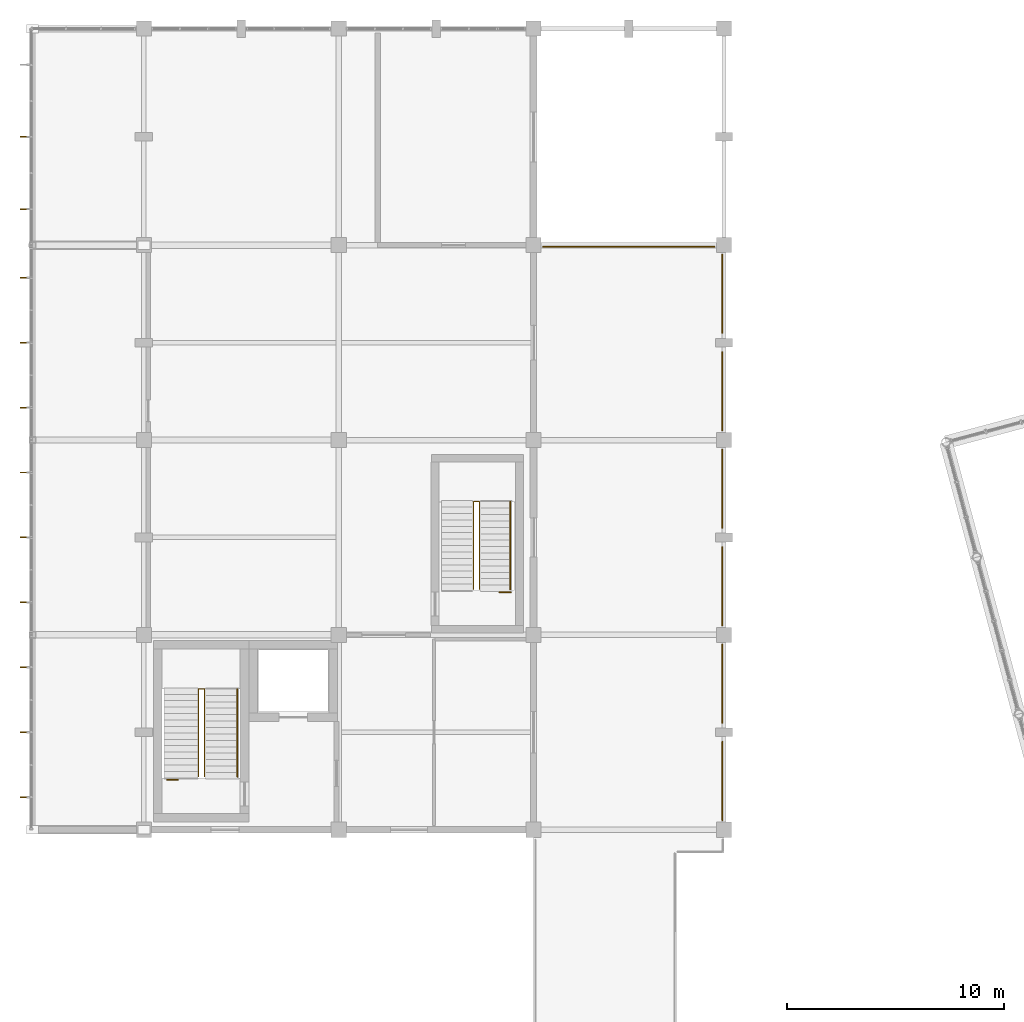
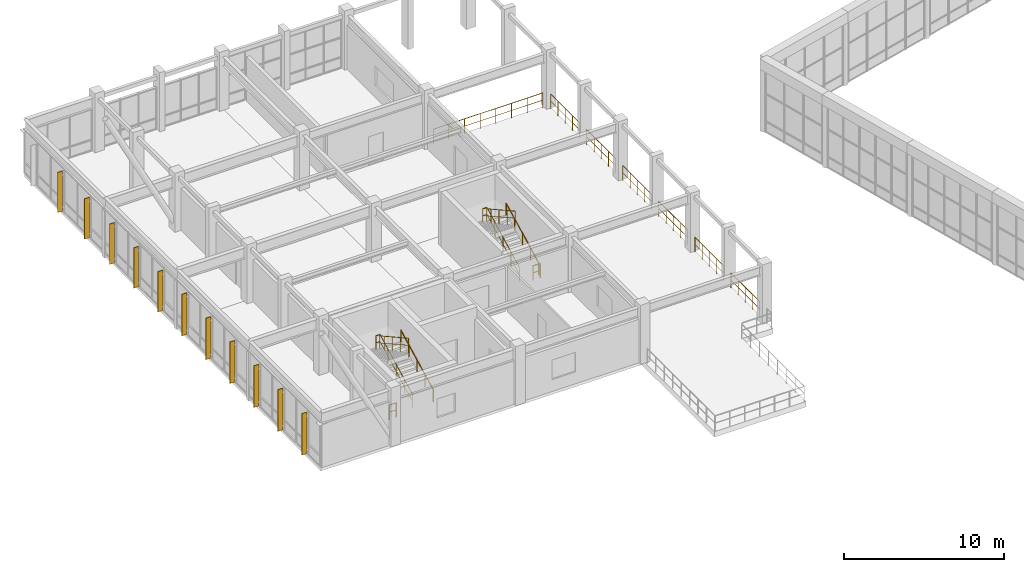
# One storey, part 52 of 55: 13 railings, 11 shading devices.
"""IFC4 building model written with IfcOpenShell, lengths in metres."""

import ifcopenshell
import ifcopenshell.guid

model = None  # the IFC model being written
_history = None  # IfcOwnerHistory: only IFC2X3 demands one
_inside = {}  # id of a spatial element -> (the spatial element, [elements in it])
_under = {}  # id of a project, library or spatial element -> (it, [spatial elements below it])
_declared = {}  # id of a project -> (the project, [libraries it declares])
_typed = {}  # id of a type object -> (the type object, [elements of that type])
_made_of = {}  # id of a material, layer set ... -> (it, [elements and type objects made of it])


def new_model(schema):
    """Start an empty IFC model of exactly this schema.

    Asked for "IFC4X3", IfcOpenShell would pick the latest addendum, in which some entities
    have other attributes; the version numbers below select the first issue.
    IFC2X3 requires an IfcOwnerHistory on every rooted entity: one is made here for all.
    """
    global model, _history
    if schema == "IFC4X3":
        model = ifcopenshell.file(schema_version=(4, 3, 0, 0))
    else:
        model = ifcopenshell.file(schema=schema)
    _inside.clear()
    _under.clear()
    _declared.clear()
    _typed.clear()
    _made_of.clear()
    _history = None
    if model.schema == "IFC2X3":
        org = make("IfcOrganization", Name="unknown")
        user = make(
            "IfcPersonAndOrganization",
            ThePerson=make("IfcPerson", FamilyName="unknown"),
            TheOrganization=org,
        )
        app = make(
            "IfcApplication",
            ApplicationDeveloper=org,
            Version="unknown",
            ApplicationFullName="unknown",
            ApplicationIdentifier="unknown",
        )
        _history = make(
            "IfcOwnerHistory",
            OwningUser=user,
            OwningApplication=app,
            ChangeAction="ADDED",
            CreationDate=0,
        )
    return model


def make(cls, **values):
    """One entity of the class cls with the attributes given. An attribute that is None is left unset."""
    return model.create_entity(
        cls, **{name: value for name, value in values.items() if value is not None}
    )


def rooted(cls, **values):
    """An entity with a GlobalId (a new one), such as an element, a storey or a relation."""
    return make(cls, GlobalId=ifcopenshell.guid.new(), OwnerHistory=_history, **values)


def si_unit(unit_type, name, prefix=None):
    """IfcSIUnit, for example si_unit("LENGTHUNIT", "METRE", prefix="MILLI")."""
    return make("IfcSIUnit", UnitType=unit_type, Prefix=prefix, Name=name)


def assignment(units):
    """IfcUnitAssignment: the units of a project."""
    return None if units is None else make("IfcUnitAssignment", Units=units)


def point(xyz):
    """IfcCartesianPoint."""
    return None if xyz is None else make("IfcCartesianPoint", Coordinates=xyz)


def direction(xyz):
    """IfcDirection."""
    return None if xyz is None else make("IfcDirection", DirectionRatios=xyz)


def frame(location, z_axis=None, x_axis=None):
    """IfcAxis2Placement3D, a coordinate frame: its origin and axes. An axis left out is left unset."""
    return make(
        "IfcAxis2Placement3D",
        Location=point(location),
        Axis=direction(z_axis),
        RefDirection=direction(x_axis),
    )


def frame_2d(location, x_axis=None):
    """IfcAxis2Placement2D, a coordinate frame in the plane: its origin and x axis."""
    return make(
        "IfcAxis2Placement2D", Location=point(location), RefDirection=direction(x_axis)
    )


def origin():
    """The frame at (0, 0, 0) with its axes left unset."""
    return frame((0.0, 0.0, 0.0))


def origin_2d():
    """The frame at (0, 0) in the plane with its x axis left unset."""
    return frame_2d((0.0, 0.0))


def place(relative_to, where):
    """IfcLocalPlacement: puts the frame where relative to a parent placement (None: the world)."""
    return make(
        "IfcLocalPlacement", PlacementRelTo=relative_to, RelativePlacement=where
    )


def context(
    kind, dimensions, precision=None, world=None, true_north=None, identifier=None
):
    """IfcGeometricRepresentationContext, for example the 3D "Model" context."""
    return make(
        "IfcGeometricRepresentationContext",
        ContextIdentifier=identifier,
        ContextType=kind,
        CoordinateSpaceDimension=dimensions,
        Precision=precision,
        WorldCoordinateSystem=world,
        TrueNorth=true_north,
    )


def subcontext(parent, identifier, kind, view, scale=None):
    """IfcGeometricRepresentationSubContext, for example "Body" below "Model"."""
    return make(
        "IfcGeometricRepresentationSubContext",
        ContextIdentifier=identifier,
        ContextType=kind,
        ParentContext=parent,
        TargetScale=scale,
        TargetView=view,
    )


def project(units=None, contexts=None):
    """IfcProject with its units and contexts."""
    return rooted(
        "IfcProject",
        Name="project",
        RepresentationContexts=contexts,
        UnitsInContext=assignment(units),
    )


def spatial(cls, under=None, at=None, **own):
    """A site, building, storey or space (cls), placed at a placement, below another one or the project."""
    s = rooted(cls, ObjectPlacement=at, **own)
    if under is not None:
        _under.setdefault(under.id(), (under, []))[1].append(s)
    return s


def profile(cls, at=None, kind="AREA", **sizes):
    """A parametric profile (cls). Its sizes go by their IFC names, for example OverallWidth=200.0."""
    return make(cls, ProfileType=kind, Position=at, **sizes)


def rectangle(**sizes):
    """IfcRectangleProfileDef."""
    return profile("IfcRectangleProfileDef", **sizes)


def circle(**sizes):
    """IfcCircleProfileDef."""
    return profile("IfcCircleProfileDef", **sizes)


def extrude(swept, where, along, depth):
    """IfcExtrudedAreaSolid: the profile swept, set in the frame where, extruded along a direction by depth."""
    return make(
        "IfcExtrudedAreaSolid",
        SweptArea=swept,
        Position=where,
        ExtrudedDirection=direction(along),
        Depth=depth,
    )


def shape(context_of_items, identifier, shape_type, items):
    """IfcShapeRepresentation: the items that make up one representation, for example the "Body"."""
    return make(
        "IfcShapeRepresentation",
        ContextOfItems=context_of_items,
        RepresentationIdentifier=identifier,
        RepresentationType=shape_type,
        Items=items,
    )


def material(Name=None, Category=None):
    """IfcMaterial."""
    return make("IfcMaterial", Name=Name, Category=Category)


def made_of(thing, what):
    """Note that an element or type object is made of a material, layer set ...; save() writes the relation."""
    if what is not None:
        _made_of.setdefault(what.id(), (what, []))[1].append(thing)
    return thing


def type_object(cls, material=None, **own):
    """A type object (cls), such as IfcWallType, which elements share."""
    return made_of(rooted(cls, **own), material)


def element(
    cls,
    number,
    at=None,
    inside=None,
    cuts=None,
    type_object=None,
    material=None,
    context=None,
    identifier="Body",
    shape_type=None,
    held_by="IfcProductDefinitionShape",
    body=None,
    shapes=None,
    **own,
):
    """One element of the class cls, such as IfcWall. Its Tag is "e" and its number.

    at: its placement. inside: the storey or other place that contains it. cuts: it is an
    opening in that element (IfcRelVoidsElement). A single representation is given by context,
    identifier, shape_type and body (its items); several are given by shapes. held_by: the class
    of the entity that holds the representations. save() writes the other relations.
    """
    e = rooted(cls, Tag="e%d" % number, ObjectPlacement=at, **own)
    if body is not None:
        shapes = [shape(context, identifier, shape_type, body)]
    if shapes is not None:
        e.Representation = make(held_by, Representations=shapes)
    if inside is not None:
        _inside.setdefault(inside.id(), (inside, []))[1].append(e)
    if cuts is not None:
        rooted(
            "IfcRelVoidsElement", RelatingBuildingElement=cuts, RelatedOpeningElement=e
        )
    if type_object is not None:
        _typed.setdefault(type_object.id(), (type_object, []))[1].append(e)
    return made_of(e, material)


def aggregate(whole, parts):
    """IfcRelAggregates: a whole, such as a stair, and the parts it consists of."""
    return rooted("IfcRelAggregates", RelatingObject=whole, RelatedObjects=parts)


def save(model, path):
    """Write the relations noted so far, then the file.

    IfcRelAggregates (storeys below a building ...), IfcRelContainedInSpatialStructure (elements
    in a storey), IfcRelDefinesByType, IfcRelAssociatesMaterial and IfcRelDeclares: one each for
    every whole, place, type object, material and project.
    """
    for whole, parts in _under.values():
        aggregate(whole, parts)
    for where, things in _inside.values():
        rooted(
            "IfcRelContainedInSpatialStructure",
            RelatedElements=things,
            RelatingStructure=where,
        )
    for kind, things in _typed.values():
        rooted("IfcRelDefinesByType", RelatedObjects=things, RelatingType=kind)
    for what, things in _made_of.values():
        rooted("IfcRelAssociatesMaterial", RelatedObjects=things, RelatingMaterial=what)
    for by, libraries in _declared.values():
        rooted("IfcRelDeclares", RelatingContext=by, RelatedDefinitions=libraries)
    model.write(path)


model = new_model("IFC4")

# Units and contexts
model_context = context("Model", 3, precision=1e-05, world=origin(), true_north=direction((0.0, 1.0)))
body_context = subcontext(model_context, "Body", "Model", "MODEL_VIEW")
ifc_project = project(units=[si_unit("LENGTHUNIT", "METRE"), si_unit("AREAUNIT", "SQUARE_METRE"), si_unit("VOLUMEUNIT", "CUBIC_METRE"), si_unit("PLANEANGLEUNIT", "RADIAN"), si_unit("MASSUNIT", "GRAM", prefix="KILO")], contexts=[model_context])

# Site, building, storey
site_placement = place(None, origin())
site = spatial("IfcSite", under=ifc_project, at=site_placement, CompositionType="ELEMENT")
building_placement = place(site_placement, origin())
building = spatial("IfcBuilding", under=site, at=building_placement, Name="Ventoquebrada Cableway Terminal", CompositionType="ELEMENT")
storey_placement = place(building_placement, frame((0.0, 0.0, 14.39990234375)))
storey = spatial("IfcBuildingStorey", under=building, at=storey_placement, Name="L03", CompositionType="ELEMENT", Elevation=14.39990234375)

# Railings
ifc_material_1 = material(Name="Brushed stainless steel Grade 316", Category="steel")
railing_type_1 = type_object("IfcRailingType", Name="RL-GD01", PredefinedType="GUARDRAIL", material=ifc_material_1)
railing_1_placement = place(storey_placement, frame((11.010009765625, 79.449951171875, 0.150146484375)))
element("IfcRailing", 1, at=railing_1_placement, inside=storey, type_object=railing_type_1, Name="Stair well guardrail GR-S17", PredefinedType="GUARDRAIL", context=body_context, shape_type="SweptSolid", body=[
    extrude(circle(Radius=0.02392578125, at=origin_2d()), frame((0.0, 0.001708984375, 1.096923828125), z_axis=(0.0, 0.887769920297, 0.460287484748), x_axis=(-1.0, 0.0, 0.0)), (0.0, 0.0, 1.0), 4.55810546875),
    extrude(circle(Radius=0.01611328125, at=origin_2d()), frame((0.0, 0.001708984375, 0.56103515625), z_axis=(0.0, 0.887769920297, 0.460287484748), x_axis=(-1.0, 0.0, 0.0)), (0.0, 0.0, 1.0), 4.55810546875),
    extrude(circle(Radius=0.02392578125, at=origin_2d()), frame((-0.001953125, 4.050048828125, 3.19580078125), z_axis=(-1.0, 0.0, 0.0), x_axis=(0.0, -1.0, 0.0)), (0.0, 0.0, 1.0), 0.276123046875),
    extrude(circle(Radius=0.01611328125, at=origin_2d()), frame((-0.001953125, 4.050048828125, 2.659912109375), z_axis=(-1.0, 0.0, 0.0), x_axis=(0.0, -1.0, 0.0)), (0.0, 0.0, 1.0), 0.276123046875),
    extrude(circle(Radius=0.02392578125, at=origin_2d()), frame((-0.280029296875, 4.04833984375, 3.19677734375), z_axis=(0.0, -0.87415976173, 0.485638457056), x_axis=(1.0, 0.0, 0.0)), (0.0, 0.0, 1.0), 4.629150390625),
    extrude(circle(Radius=0.01611328125, at=origin_2d()), frame((-0.280029296875, 4.04833984375, 2.660888671875), z_axis=(0.0, -0.87415976173, 0.485638457056), x_axis=(1.0, 0.0, 0.0)), (0.0, 0.0, 1.0), 4.629150390625),
    extrude(circle(Radius=0.02099609375, at=origin_2d()), origin(), (0.0, 0.0, 1.0), 1.072021484375),
    extrude(circle(Radius=0.02099609375, at=origin_2d()), frame((0.0, 1.012451171875, 0.52490234375)), (0.0, 0.0, 1.0), 1.072021484375),
    extrude(circle(Radius=0.02099609375, at=origin_2d()), frame((0.0, 2.02490234375, 1.0498046875)), (0.0, 0.0, 1.0), 1.072021484375),
    extrude(circle(Radius=0.02099609375, at=origin_2d()), frame((0.0, 3.03759765625, 1.574951171875)), (0.0, 0.0, 1.0), 1.072021484375),
    extrude(circle(Radius=0.02099609375, at=origin_2d()), frame((0.0, 4.050048828125, 2.099853515625)), (0.0, 0.0, 1.0), 1.072021484375),
    extrude(circle(Radius=0.02099609375, at=origin_2d()), frame((-0.280029296875, 4.050048828125, 2.099853515625)), (0.0, 0.0, 1.0), 1.072021484375),
    extrude(circle(Radius=0.02099609375, at=origin_2d()), frame((-0.280029296875, 3.03759765625, 2.662353515625)), (0.0, 0.0, 1.0), 1.072021484375),
    extrude(circle(Radius=0.02099609375, at=origin_2d()), frame((-0.280029296875, 2.02490234375, 3.224853515625)), (0.0, 0.0, 1.0), 1.072021484375),
    extrude(circle(Radius=0.02099609375, at=origin_2d()), frame((-0.280029296875, 1.012451171875, 3.787353515625)), (0.0, 0.0, 1.0), 1.072021484375),
    extrude(circle(Radius=0.02099609375, at=origin_2d()), frame((-0.280029296875, 0.0, 4.349853515625)), (0.0, 0.0, 1.0), 1.072021484375),
])
railing_2_placement = place(storey_placement, frame((23.7099609375, 88.10009765625, 0.150146484375)))
element("IfcRailing", 2, at=railing_2_placement, inside=storey, type_object=railing_type_1, Name="Stair well guardrail GR-S18", PredefinedType="GUARDRAIL", context=body_context, shape_type="SweptSolid", body=[
    extrude(circle(Radius=0.02392578125, at=origin_2d()), frame((0.0, 0.001708984375, 1.096923828125), z_axis=(0.0, 0.887758581434, 0.460309353684), x_axis=(-1.0, 0.0, 0.0)), (0.0, 0.0, 1.0), 4.557861328125),
    extrude(circle(Radius=0.01611328125, at=origin_2d()), frame((0.0, 0.001708984375, 0.56103515625), z_axis=(0.0, 0.887758581434, 0.460309353684), x_axis=(-1.0, 0.0, 0.0)), (0.0, 0.0, 1.0), 4.557861328125),
    extrude(circle(Radius=0.02392578125, at=origin_2d()), frame((-0.001953125, 4.0498046875, 3.19580078125), z_axis=(-1.0, 0.0, 0.0), x_axis=(0.0, -1.0, 0.0)), (0.0, 0.0, 1.0), 0.276123046875),
    extrude(circle(Radius=0.01611328125, at=origin_2d()), frame((-0.001953125, 4.0498046875, 2.659912109375), z_axis=(-1.0, 0.0, 0.0), x_axis=(0.0, -1.0, 0.0)), (0.0, 0.0, 1.0), 0.276123046875),
    extrude(circle(Radius=0.02392578125, at=origin_2d()), frame((-0.280029296875, 4.048095703125, 3.19677734375), z_axis=(0.0, -0.874147333, 0.485660828366), x_axis=(1.0, 0.0, 0.0)), (0.0, 0.0, 1.0), 4.62890625),
    extrude(circle(Radius=0.01611328125, at=origin_2d()), frame((-0.280029296875, 4.048095703125, 2.660888671875), z_axis=(0.0, -0.874147333, 0.485660828366), x_axis=(1.0, 0.0, 0.0)), (0.0, 0.0, 1.0), 4.62890625),
    extrude(circle(Radius=0.02099609375, at=origin_2d()), origin(), (0.0, 0.0, 1.0), 1.072021484375),
    extrude(circle(Radius=0.02099609375, at=origin_2d()), frame((0.0, 1.012451171875, 0.52490234375)), (0.0, 0.0, 1.0), 1.072021484375),
    extrude(circle(Radius=0.02099609375, at=origin_2d()), frame((0.0, 2.02490234375, 1.0498046875)), (0.0, 0.0, 1.0), 1.072021484375),
    extrude(circle(Radius=0.02099609375, at=origin_2d()), frame((0.0, 3.037353515625, 1.574951171875)), (0.0, 0.0, 1.0), 1.072021484375),
    extrude(circle(Radius=0.02099609375, at=origin_2d()), frame((0.0, 4.0498046875, 2.099853515625)), (0.0, 0.0, 1.0), 1.072021484375),
    extrude(circle(Radius=0.02099609375, at=origin_2d()), frame((-0.280029296875, 4.0498046875, 2.099853515625)), (0.0, 0.0, 1.0), 1.072021484375),
    extrude(circle(Radius=0.02099609375, at=origin_2d()), frame((-0.280029296875, 3.037353515625, 2.662353515625)), (0.0, 0.0, 1.0), 1.072021484375),
    extrude(circle(Radius=0.02099609375, at=origin_2d()), frame((-0.280029296875, 2.02490234375, 3.224853515625)), (0.0, 0.0, 1.0), 1.072021484375),
    extrude(circle(Radius=0.02099609375, at=origin_2d()), frame((-0.280029296875, 1.012451171875, 3.787353515625)), (0.0, 0.0, 1.0), 1.072021484375),
    extrude(circle(Radius=0.02099609375, at=origin_2d()), frame((-0.280029296875, 0.0, 4.349853515625)), (0.0, 0.0, 1.0), 1.072021484375),
])
railing_3_placement = place(storey_placement, frame((24.625, 87.9599609375, 0.0)))
element("IfcRailing", 3, at=railing_3_placement, inside=storey, type_object=railing_type_1, Name="Open-edge guardrail GR-E133", PredefinedType="GUARDRAIL", context=body_context, shape_type="SweptSolid", body=[
    extrude(circle(Radius=0.02392578125, at=origin_2d()), frame((0.001953125, 0.0, 1.09619140625), z_axis=(1.0, 0.0, 0.0), x_axis=(0.0, 1.0, 0.0)), (0.0, 0.0, 1.0), 0.526123046875),
    extrude(circle(Radius=0.01611328125, at=origin_2d()), frame((0.001953125, 0.0, 0.56005859375), z_axis=(1.0, 0.0, 0.0), x_axis=(0.0, 1.0, 0.0)), (0.0, 0.0, 1.0), 0.526123046875),
    extrude(circle(Radius=0.02099609375, at=origin_2d()), origin(), (0.0, 0.0, 1.0), 1.072021484375),
    extrude(circle(Radius=0.02099609375, at=origin_2d()), frame((0.530029296875, 0.0, 0.0)), (0.0, 0.0, 1.0), 1.072021484375),
])
railing_4_placement = place(storey_placement, frame((9.27001953125, 79.31005859375, 0.0)))
element("IfcRailing", 4, at=railing_4_placement, inside=storey, type_object=railing_type_1, Name="Open-edge guardrail GR-E134", PredefinedType="GUARDRAIL", context=body_context, shape_type="SweptSolid", body=[
    extrude(circle(Radius=0.02392578125, at=origin_2d()), frame((0.001953125, 0.0, 1.09619140625), z_axis=(1.0, 0.0, 0.0), x_axis=(0.0, 1.0, 0.0)), (0.0, 0.0, 1.0), 0.490966796875),
    extrude(circle(Radius=0.01611328125, at=origin_2d()), frame((0.001953125, 0.0, 0.56005859375), z_axis=(1.0, 0.0, 0.0), x_axis=(0.0, 1.0, 0.0)), (0.0, 0.0, 1.0), 0.490966796875),
    extrude(circle(Radius=0.02099609375, at=origin_2d()), origin(), (0.0, 0.0, 1.0), 1.072021484375),
    extrude(circle(Radius=0.02099609375, at=origin_2d()), frame((0.494873046875, 0.0, 0.0)), (0.0, 0.0, 1.0), 1.072021484375),
])
railing_type_2 = type_object("IfcRailingType", Name="RL-GD02", PredefinedType="BALUSTRADE", material=ifc_material_1)
railing_5_placement = place(storey_placement, frame((26.64306640625, 103.919921875, 0.0)))
element("IfcRailing", 5, at=railing_5_placement, inside=storey, type_object=railing_type_2, Name="Terrace balustrade GR-E125", PredefinedType="BALUSTRADE", context=body_context, shape_type="SweptSolid", body=[
    extrude(circle(Radius=0.02392578125, at=origin_2d()), frame((0.001953125, 0.0, 1.1259765625), z_axis=(1.0, 0.0, 0.0), x_axis=(0.0, 1.0, 0.0)), (0.0, 0.0, 1.0), 7.909912109375),
    extrude(circle(Radius=0.01611328125, at=origin_2d()), frame((0.001953125, 0.0, 0.574951171875), z_axis=(1.0, 0.0, 0.0), x_axis=(0.0, 1.0, 0.0)), (0.0, 0.0, 1.0), 7.909912109375),
    extrude(circle(Radius=0.02099609375, at=origin_2d()), origin(), (0.0, 0.0, 1.0), 1.101806640625),
    extrude(circle(Radius=0.02099609375, at=origin_2d()), frame((1.130615234375, 0.0, 0.0)), (0.0, 0.0, 1.0), 1.101806640625),
    extrude(circle(Radius=0.02099609375, at=origin_2d()), frame((2.260986328125, 0.0, 0.0)), (0.0, 0.0, 1.0), 1.101806640625),
    extrude(circle(Radius=0.02099609375, at=origin_2d()), frame((3.3916015625, 0.0, 0.0)), (0.0, 0.0, 1.0), 1.101806640625),
    extrude(circle(Radius=0.02099609375, at=origin_2d()), frame((4.522216796875, 0.0, 0.0)), (0.0, 0.0, 1.0), 1.101806640625),
    extrude(circle(Radius=0.02099609375, at=origin_2d()), frame((5.65283203125, 0.0, 0.0)), (0.0, 0.0, 1.0), 1.101806640625),
    extrude(circle(Radius=0.02099609375, at=origin_2d()), frame((6.783203125, 0.0, 0.0)), (0.0, 0.0, 1.0), 1.101806640625),
    extrude(circle(Radius=0.02099609375, at=origin_2d()), frame((7.913818359375, 0.0, 0.0)), (0.0, 0.0, 1.0), 1.101806640625),
])
for number, where, name in (
    (6, (34.919921875, 103.55810546875, 0.0), "Terrace balustrade GR-E126"),
    (7, (34.919921875, 99.05810546875, 0.0), "Terrace balustrade GR-E127"),
    (8, (34.919921875, 94.55810546875, 0.0), "Terrace balustrade GR-E128"),
    (9, (34.919921875, 90.05810546875, 0.0), "Terrace balustrade GR-E129"),
    (10, (34.919921875, 85.55810546875, 0.0), "Terrace balustrade GR-E130"),
):
    element("IfcRailing", number, at=place(storey_placement, frame(where)), inside=storey, type_object=railing_type_2, Name=name, PredefinedType="BALUSTRADE", context=body_context, shape_type="SweptSolid", body=[
        extrude(circle(Radius=0.02392578125, at=origin_2d()), frame((0.0, -0.001953125, 1.1259765625), z_axis=(0.0, -1.0, 0.0), x_axis=(1.0, 0.0, 0.0)), (0.0, 0.0, 1.0), 3.6123046875),
        extrude(circle(Radius=0.01611328125, at=origin_2d()), frame((0.0, -0.001953125, 0.574951171875), z_axis=(0.0, -1.0, 0.0), x_axis=(1.0, 0.0, 0.0)), (0.0, 0.0, 1.0), 3.6123046875),
        extrude(circle(Radius=0.02099609375, at=origin_2d()), origin(), (0.0, 0.0, 1.0), 1.101806640625),
        extrude(circle(Radius=0.02099609375, at=origin_2d()), frame((0.0, -0.904052734375, 0.0)), (0.0, 0.0, 1.0), 1.101806640625),
        extrude(circle(Radius=0.02099609375, at=origin_2d()), frame((0.0, -1.80810546875, 0.0)), (0.0, 0.0, 1.0), 1.101806640625),
        extrude(circle(Radius=0.02099609375, at=origin_2d()), frame((0.0, -2.712158203125, 0.0)), (0.0, 0.0, 1.0), 1.101806640625),
        extrude(circle(Radius=0.02099609375, at=origin_2d()), frame((0.0, -3.6162109375, 0.0)), (0.0, 0.0, 1.0), 1.101806640625),
    ])
railing_6_placement = place(storey_placement, frame((34.919921875, 81.05810546875, 0.0)))
element("IfcRailing", 11, at=railing_6_placement, inside=storey, type_object=railing_type_2, Name="Terrace balustrade GR-E131", PredefinedType="BALUSTRADE", context=body_context, shape_type="SweptSolid", body=[
    extrude(circle(Radius=0.02392578125, at=origin_2d()), frame((0.0, -0.001953125, 1.1259765625), z_axis=(0.0, -1.0, 0.0), x_axis=(1.0, 0.0, 0.0)), (0.0, 0.0, 1.0), 3.611083984375),
    extrude(circle(Radius=0.01611328125, at=origin_2d()), frame((0.0, -0.001953125, 0.574951171875), z_axis=(0.0, -1.0, 0.0), x_axis=(1.0, 0.0, 0.0)), (0.0, 0.0, 1.0), 3.611083984375),
    extrude(circle(Radius=0.02099609375, at=origin_2d()), origin(), (0.0, 0.0, 1.0), 1.101806640625),
    extrude(circle(Radius=0.02099609375, at=origin_2d()), frame((0.0, -0.90380859375, 0.0)), (0.0, 0.0, 1.0), 1.101806640625),
    extrude(circle(Radius=0.02099609375, at=origin_2d()), frame((0.0, -1.8076171875, 0.0)), (0.0, 0.0, 1.0), 1.101806640625),
    extrude(circle(Radius=0.02099609375, at=origin_2d()), frame((0.0, -2.711181640625, 0.0)), (0.0, 0.0, 1.0), 1.101806640625),
    extrude(circle(Radius=0.02099609375, at=origin_2d()), frame((0.0, -3.614990234375, 0.0)), (0.0, 0.0, 1.0), 1.101806640625),
])
railing_type_3 = type_object("IfcRailingType", Name="RL-HR01", PredefinedType="HANDRAIL", material=ifc_material_1)
railing_7_placement = place(storey_placement, frame((12.52001953125, 79.449951171875, 0.150146484375)))
element("IfcRailing", 12, at=railing_7_placement, inside=storey, type_object=railing_type_3, Name="Stair wall handrail HR-S17", PredefinedType="HANDRAIL", context=body_context, shape_type="SweptSolid", body=[
    extrude(circle(Radius=0.02392578125, at=origin_2d()), frame((0.0, 0.001708984375, 0.896728515625), z_axis=(0.0, 0.887769920297, 0.460287484748), x_axis=(-1.0, 0.0, 0.0)), (0.0, 0.0, 1.0), 4.55810546875),
    extrude(circle(Radius=0.02099609375, at=origin_2d()), origin(), (0.0, 0.0, 1.0), 0.871826171875),
    extrude(circle(Radius=0.02099609375, at=origin_2d()), frame((0.0, 1.012451171875, 0.52490234375)), (0.0, 0.0, 1.0), 0.871826171875),
    extrude(circle(Radius=0.02099609375, at=origin_2d()), frame((0.0, 2.02490234375, 1.0498046875)), (0.0, 0.0, 1.0), 0.871826171875),
    extrude(circle(Radius=0.02099609375, at=origin_2d()), frame((0.0, 3.03759765625, 1.574951171875)), (0.0, 0.0, 1.0), 0.871826171875),
    extrude(circle(Radius=0.02099609375, at=origin_2d()), frame((0.0, 4.050048828125, 2.099853515625)), (0.0, 0.0, 1.0), 0.871826171875),
])
railing_8_placement = place(storey_placement, frame((25.1201171875, 88.10009765625, 0.150146484375)))
element("IfcRailing", 13, at=railing_8_placement, inside=storey, type_object=railing_type_3, Name="Stair wall handrail HR-S18", PredefinedType="HANDRAIL", context=body_context, shape_type="SweptSolid", body=[
    extrude(circle(Radius=0.02392578125, at=origin_2d()), frame((0.0, 0.001708984375, 0.896728515625), z_axis=(0.0, 0.887758581434, 0.460309353684), x_axis=(-1.0, 0.0, 0.0)), (0.0, 0.0, 1.0), 4.557861328125),
    extrude(circle(Radius=0.02099609375, at=origin_2d()), origin(), (0.0, 0.0, 1.0), 0.871826171875),
    extrude(circle(Radius=0.02099609375, at=origin_2d()), frame((0.0, 1.012451171875, 0.52490234375)), (0.0, 0.0, 1.0), 0.871826171875),
    extrude(circle(Radius=0.02099609375, at=origin_2d()), frame((0.0, 2.02490234375, 1.0498046875)), (0.0, 0.0, 1.0), 0.871826171875),
    extrude(circle(Radius=0.02099609375, at=origin_2d()), frame((0.0, 3.037353515625, 1.574951171875)), (0.0, 0.0, 1.0), 0.871826171875),
    extrude(circle(Radius=0.02099609375, at=origin_2d()), frame((0.0, 4.0498046875, 2.099853515625)), (0.0, 0.0, 1.0), 0.871826171875),
])

# Shading devices
ifc_material_2 = material(Name="Anodized thermally-broken aluminium", Category="aluminium")
shading_device_type = type_object("IfcShadingDeviceType", Name="SHD-AW1", PredefinedType="AWNING", material=ifc_material_2)
for number, where, z_axis, x_axis, name in (
    (14, (2.659912109375, 84.5, 0.14990234375), (0.0, 0.0, 1.0), (0.0, -1.0, 0.0), "Extruded aluminium sunshade fin FN-027"),
    (15, (2.659912109375, 81.5, 0.14990234375), (0.0, 0.0, 1.0), (0.0, -1.0, 0.0), "Extruded aluminium sunshade fin FN-028"),
    (16, (2.659912109375, 78.5, 0.14990234375), (0.0, 0.0, 1.0), (0.0, -1.0, 0.0), "Extruded aluminium sunshade fin FN-029"),
    (17, (2.659912109375, 93.5, 0.14990234375), (0.0, 0.0, 1.0), (0.0, -1.0, 0.0), "Extruded aluminium sunshade fin FN-030"),
    (18, (2.659912109375, 90.5, 0.14990234375), (0.0, 0.0, 1.0), (0.0, -1.0, 0.0), "Extruded aluminium sunshade fin FN-031"),
    (19, (2.659912109375, 87.5, 0.14990234375), (0.0, 0.0, 1.0), (0.0, -1.0, 0.0), "Extruded aluminium sunshade fin FN-032"),
):
    element("IfcShadingDevice", number, at=place(storey_placement, frame(where, z_axis=z_axis, x_axis=x_axis)), inside=storey, type_object=shading_device_type, Name=name, PredefinedType="AWNING", context=body_context, shape_type="SweptSolid", body=[
        extrude(rectangle(XDim=0.044921875, YDim=0.360107421875, at=origin_2d()), origin(), (0.0, 0.0, 1.0), 3.172119140625),
    ])
for number, where, z_axis, x_axis, name in (
    (20, (2.659912109375, 102.5, 0.14990234375), (0.0, 0.0, 1.0), (0.0, -1.0, 0.0), "Extruded aluminium sunshade fin FN-033"),
    (21, (2.659912109375, 99.5, 0.14990234375), (0.0, 0.0, 1.0), (0.0, -1.0, 0.0), "Extruded aluminium sunshade fin FN-034"),
    (22, (2.659912109375, 96.5, 0.14990234375), (0.0, 0.0, 1.0), (0.0, -1.0, 0.0), "Extruded aluminium sunshade fin FN-035"),
    (23, (2.659912109375, 109.0, 0.14990234375), (0.0, 0.0, 1.0), (0.0, -1.0, 0.0), "Extruded aluminium sunshade fin FN-037"),
    (24, (2.659912109375, 105.6669921875, 0.14990234375), (0.0, 0.0, 1.0), (0.0, -1.0, 0.0), "Extruded aluminium sunshade fin FN-038"),
):
    element("IfcShadingDevice", number, at=place(storey_placement, frame(where, z_axis=z_axis, x_axis=x_axis)), inside=storey, type_object=shading_device_type, Name=name, PredefinedType="AWNING", context=body_context, shape_type="SweptSolid", body=[
        extrude(rectangle(XDim=0.044921875, YDim=0.360107421875, at=origin_2d()), origin(), (0.0, 0.0, 1.0), 3.072021484375),
    ])

save(model, "model.ifc")
